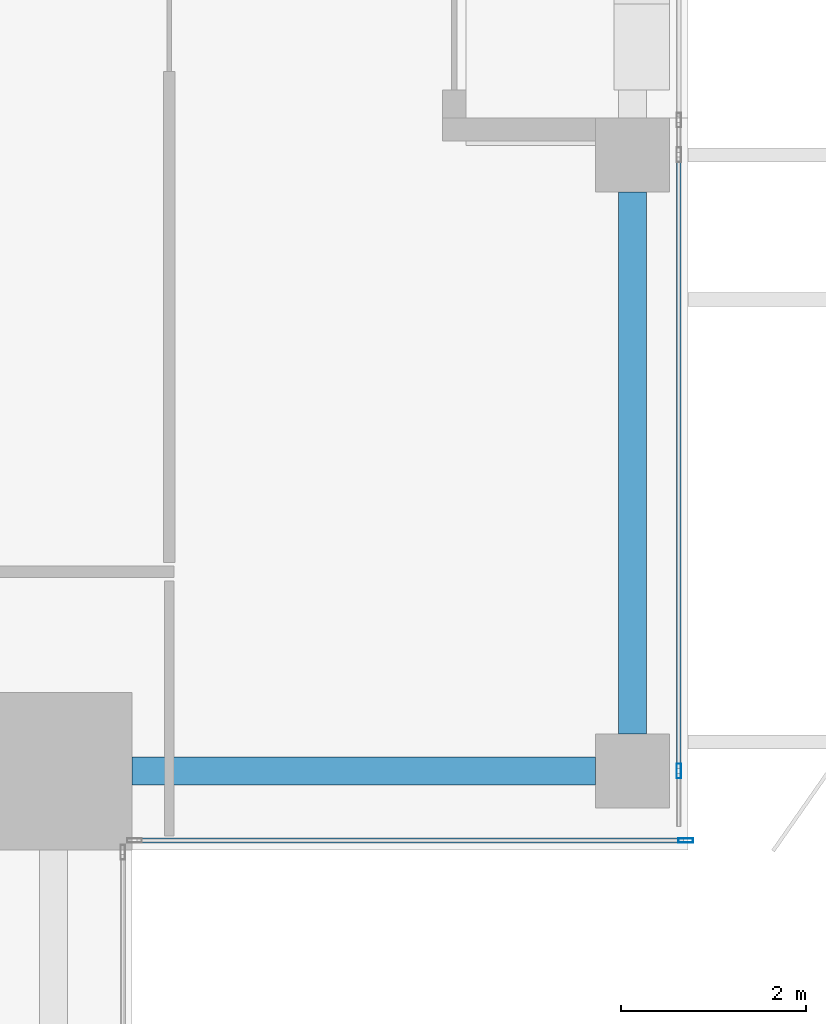
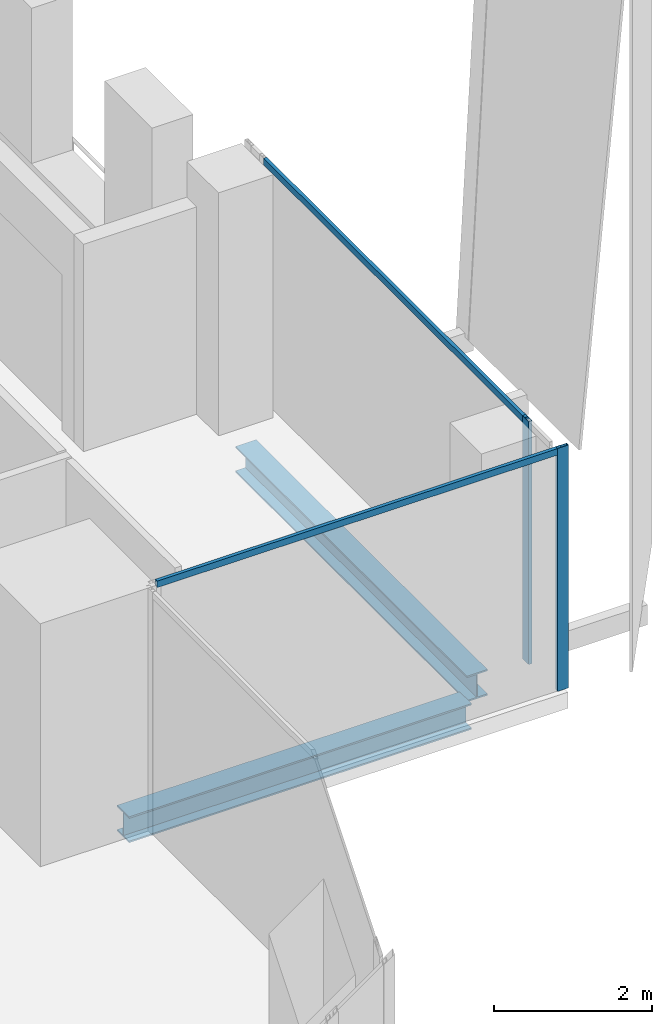
# One storey, part 8 of 32: 4 members, 2 beams, 2 elements without a shape of their own.
"""IFC4 building model written with IfcOpenShell, lengths in metres."""

from ifc_helpers import new_model, si_unit, direction, frame, origin, origin_2d, place, context, subcontext, project, spatial, hollow_rectangle, i_section, extrude, source, transform, mapped, material, material_profile, profile_set, type_object, element, aggregate, save


model = new_model("IFC4")

# Units and contexts
model_context = context("Model", 3, precision=1e-05, world=origin(), true_north=direction((0.0, 1.0)))
body_context = subcontext(model_context, "Body", "Model", "MODEL_VIEW")
ifc_project = project(units=[si_unit("LENGTHUNIT", "METRE"), si_unit("AREAUNIT", "SQUARE_METRE"), si_unit("VOLUMEUNIT", "CUBIC_METRE"), si_unit("PLANEANGLEUNIT", "RADIAN"), si_unit("MASSUNIT", "GRAM", prefix="KILO")], contexts=[model_context])

# Site, building, storey
site_placement = place(None, origin())
site = spatial("IfcSite", under=ifc_project, at=site_placement, CompositionType="ELEMENT")
building_placement = place(site_placement, origin())
building = spatial("IfcBuilding", under=site, at=building_placement, Name="Khomas Fold Tower", CompositionType="ELEMENT")
storey_placement = place(building_placement, frame((0.0, 0.0, 318.199951171875)))
storey = spatial("IfcBuildingStorey", under=building, at=storey_placement, Name="L72", CompositionType="ELEMENT", Elevation=318.199951171875)

# Beams
ifc_material_1 = material(Name="Steel S355", Category="steel")
ifc_material_profile_1 = material_profile(ifc_material_1, i_section(OverallWidth=0.300048828125, OverallDepth=0.39990234375, WebThickness=0.013427734375, FlangeThickness=0.02392578125, at=origin_2d()), Name="HE 400 B")
ifc_profile_set_1 = profile_set([ifc_material_profile_1], Name="Steel S355")
beam_type = type_object("IfcBeamType", Name="HE 400 B spandrel SB5", PredefinedType="SPANDREL", material=ifc_profile_set_1)
shared_shape_1 = source(origin(), body_context, "Body", "SweptSolid", [
    extrude(i_section(OverallWidth=0.300048828125, OverallDepth=0.39990234375, WebThickness=0.013427734375, FlangeThickness=0.02392578125, at=origin_2d()), origin(), (0.0, 0.0, 1.0), 5.85009765625),
])
beam_1_placement = place(storey_placement, frame((47.39990234375, 13.25, -0.449951171875), z_axis=(0.0, 1.0, 0.0), x_axis=(-1.0, 0.0, 0.0)))
element("IfcBeam", 1, at=beam_1_placement, inside=storey, type_object=beam_type, Name="SB5", PredefinedType="SPANDREL", context=body_context, shape_type="MappedRepresentation", body=[
    mapped(shared_shape_1, transform((0.0, 0.0, 0.0))),
])
shared_shape_2 = source(origin(), body_context, "Body", "SweptSolid", [
    extrude(i_section(OverallWidth=0.300048828125, OverallDepth=0.39990234375, WebThickness=0.013427734375, FlangeThickness=0.02392578125, at=origin_2d()), origin(), (0.0, 0.0, 1.0), 5.0),
])
beam_2_placement = place(storey_placement, frame((42.0, 12.85009765625, -0.449951171875), z_axis=(1.0, 0.0, 0.0), x_axis=(0.0, 1.0, 0.0)))
element("IfcBeam", 2, at=beam_2_placement, inside=storey, type_object=beam_type, Name="SB5", PredefinedType="SPANDREL", context=body_context, shape_type="MappedRepresentation", body=[
    mapped(shared_shape_2, transform((0.0, 0.0, 0.0))),
])

# Curtain wall, member
ifc_material_2 = material(Name="Aluminium framed double glazing", Category="aluminium")
curtain_wall_type = type_object("IfcCurtainWallType", Name="SK-Unitised clear-glass wall, upper floors CW3", PredefinedType="NOTDEFINED", material=ifc_material_2)
curtain_wall_1_placement = place(storey_placement, origin())
curtain_wall_1 = element("IfcCurtainWall", 3, at=curtain_wall_1_placement, inside=storey, type_object=curtain_wall_type, Name="CW3 corner return L72 02", PredefinedType="NOTDEFINED")
ifc_material_3 = material(Name="Aluminium", Category="aluminium")
ifc_material_profile_2 = material_profile(ifc_material_3, hollow_rectangle(XDim=0.050048828125, YDim=0.159912109375, WallThickness=0.00390625, at=origin_2d()), Name="SK-Unitised clear-glass wall, upper floors mullion CW3-M")
ifc_profile_set_2 = profile_set([ifc_material_profile_2], Name="Aluminium")
member_type_1 = type_object("IfcMemberType", Name="SK-Unitised clear-glass wall, upper floors mullion CW3-M", PredefinedType="MULLION", material=ifc_profile_set_2)
shared_shape_3 = source(origin(), body_context, "Body", "SweptSolid", [
    extrude(hollow_rectangle(XDim=0.050048828125, YDim=0.159912109375, WallThickness=0.00390625, at=origin_2d()), origin(), (0.0, 0.0, 1.0), 3.75),
])
member_1_placement = place(storey_placement, frame((47.97509765625, 12.10009765625, 0.0), z_axis=(0.0, 0.0, 1.0), x_axis=(0.0, 1.0, 0.0)))
member_1 = element("IfcMember", 4, at=member_1_placement, type_object=member_type_1, Name="CW3 mullion 2", PredefinedType="MULLION", context=body_context, shape_type="MappedRepresentation", body=[
    mapped(shared_shape_3, transform((0.0, 0.0, 0.0))),
])

# Curtain wall, members
curtain_wall_2_placement = place(storey_placement, origin())
curtain_wall_2 = element("IfcCurtainWall", 5, at=curtain_wall_2_placement, inside=storey, type_object=curtain_wall_type, Name="CW3 run L72 03-0", PredefinedType="NOTDEFINED")
member_2_placement = place(storey_placement, frame((47.89990234375, 12.85009765625, 0.0), z_axis=(0.0, 0.0, 1.0), x_axis=(-1.0, 0.0, 0.0)))
member_2 = element("IfcMember", 6, at=member_2_placement, type_object=member_type_1, Name="CW3 mullion 2", PredefinedType="MULLION", context=body_context, shape_type="MappedRepresentation", body=[
    mapped(shared_shape_3, transform((0.0, 0.0, 0.0))),
])
ifc_material_4 = material(Name="Aluminium", Category="aluminium")
ifc_material_profile_3 = material_profile(ifc_material_4, hollow_rectangle(XDim=0.050048828125, YDim=0.10009765625, WallThickness=0.00390625, at=origin_2d()), Name="SK-Unitised clear-glass wall, upper floors transom CW3-T")
ifc_profile_set_3 = profile_set([ifc_material_profile_3], Name="Aluminium")
member_type_2 = type_object("IfcMemberType", Name="SK-Unitised clear-glass wall, upper floors transom CW3-T", PredefinedType="USERDEFINED", material=ifc_profile_set_3)
shared_shape_4 = source(origin(), body_context, "Body", "SweptSolid", [
    extrude(hollow_rectangle(XDim=0.050048828125, YDim=0.10009765625, WallThickness=0.00390625, at=origin_2d()), origin(), (0.0, 0.0, 1.0), 6.60009765625),
])
member_3_placement = place(storey_placement, frame((47.89990234375, 12.875, 3.699951171875), z_axis=(0.0, 1.0, 0.0), x_axis=(-1.0, 0.0, 0.0)))
member_3 = element("IfcMember", 7, at=member_3_placement, type_object=member_type_2, Name="CW3 transom 2", ObjectType="TRANSOM", PredefinedType="USERDEFINED", context=body_context, shape_type="MappedRepresentation", body=[
    mapped(shared_shape_4, transform((0.0, 0.0, 0.0))),
])
aggregate(curtain_wall_2, [member_2, member_3])

# Member
shared_shape_5 = source(origin(), body_context, "Body", "SweptSolid", [
    extrude(hollow_rectangle(XDim=0.050048828125, YDim=0.10009765625, WallThickness=0.00390625, at=origin_2d()), origin(), (0.0, 0.0, 1.0), 5.89990234375),
])
member_4_placement = place(storey_placement, frame((42.050048828125, 12.10009765625, 3.699951171875), z_axis=(1.0, 0.0, 0.0), x_axis=(0.0, 1.0, 0.0)))
member_4 = element("IfcMember", 8, at=member_4_placement, type_object=member_type_2, Name="CW3 transom 1", ObjectType="TRANSOM", PredefinedType="USERDEFINED", context=body_context, shape_type="MappedRepresentation", body=[
    mapped(shared_shape_5, transform((0.0, 0.0, 0.0))),
])

aggregate(curtain_wall_1, [member_1, member_4])

save(model, "model.ifc")
